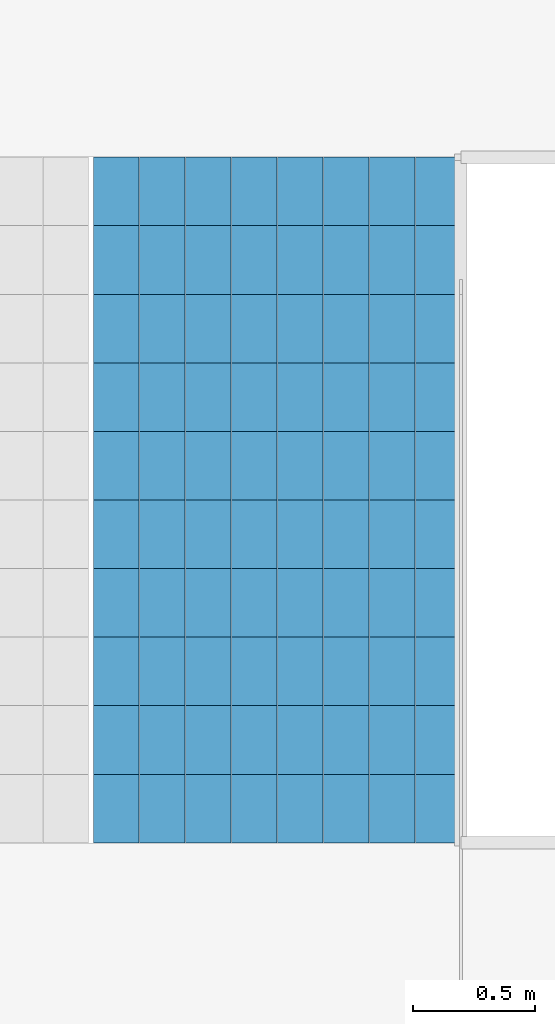
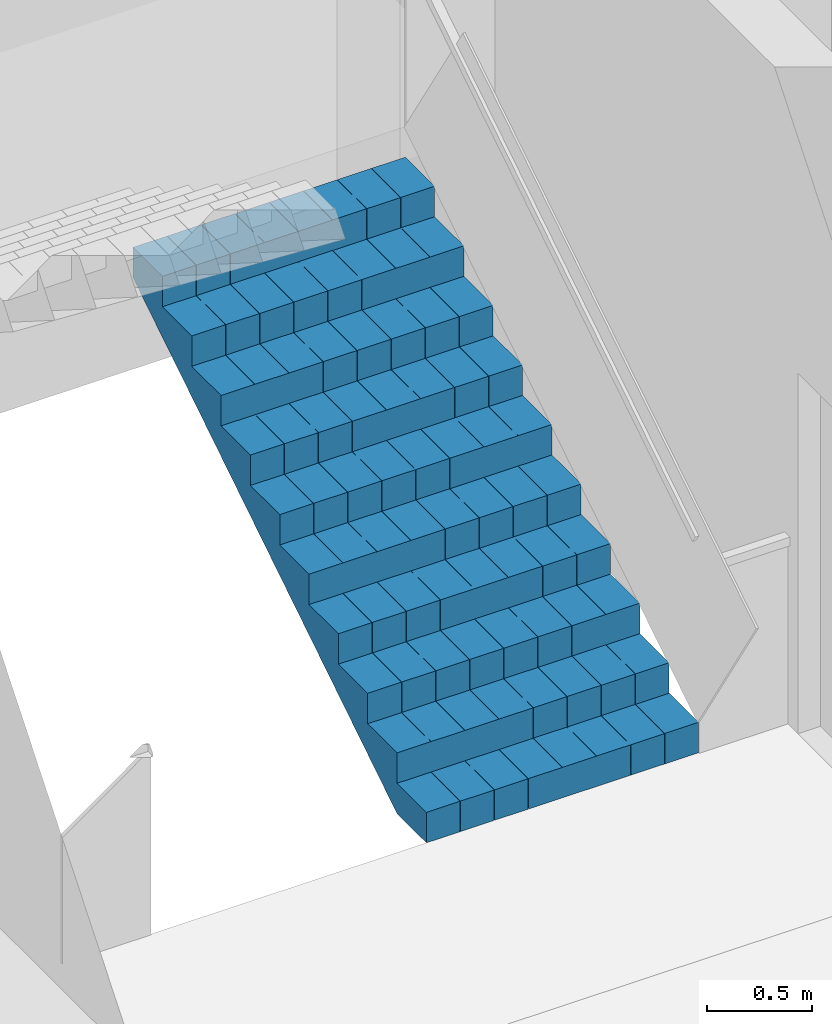
# One storey, part 13 of 15: 1 stair flight, 1 element without a shape of its own.
"""IFC4 building model written with IfcOpenShell, lengths in metres."""

from ifc_helpers import new_model, si_unit, direction, frame, origin, place, context, subcontext, project, spatial, polyline, outline, extrude, material, type_object, element, aggregate, save


model = new_model("IFC4")

# Units and contexts
model_context = context("Model", 3, precision=1e-05, world=origin(), true_north=direction((0.0, 1.0)))
body_context = subcontext(model_context, "Body", "Model", "MODEL_VIEW")
ifc_project = project(units=[si_unit("LENGTHUNIT", "METRE"), si_unit("AREAUNIT", "SQUARE_METRE"), si_unit("VOLUMEUNIT", "CUBIC_METRE"), si_unit("PLANEANGLEUNIT", "RADIAN"), si_unit("MASSUNIT", "GRAM", prefix="KILO")], contexts=[model_context])

# Site, building, storey
site_placement = place(None, origin())
site = spatial("IfcSite", under=ifc_project, at=site_placement, CompositionType="ELEMENT")
building_placement = place(site_placement, origin())
building = spatial("IfcBuilding", under=site, at=building_placement, Name="Kolab Exchange Tower", CompositionType="ELEMENT")
storey_placement = place(building_placement, frame((0.0, 0.0, 158.300048828125)))
storey = spatial("IfcBuildingStorey", under=building, at=storey_placement, Name="L32", CompositionType="ELEMENT", Elevation=158.300048828125)

# Stair, stair flight
ifc_material = material(Name="Concrete C50/60", Category="concrete")
stair_type = type_object("IfcStairType", Name="STAIR ST1 RISER 177.3", PredefinedType="HALF_TURN_STAIR", material=ifc_material)
stair_placement = place(storey_placement, origin())
stair = element("IfcStair", 1, at=stair_placement, inside=storey, type_object=stair_type, Name="Stair 1", PredefinedType="HALF_TURN_STAIR")
stair_flight_type = type_object("IfcStairFlightType", Name="STAIR FLIGHT 1500 RISER 177.3", PredefinedType="STRAIGHT", material=ifc_material)
stair_flight_placement = place(storey_placement, frame((-6.489990234375, 5.550048828125, 0.0), z_axis=(0.0, 0.0, 1.0), x_axis=(0.0, 1.0, 0.0)))
stair_flight = element("IfcStairFlight", 2, at=stair_flight_placement, type_object=stair_flight_type, Name="ST1 flight 1", NumberOfRisers=11, NumberOfTreads=10, PredefinedType="STRAIGHT", RiserHeight=0.177272727, TreadLength=0.28, context=body_context, shape_type="SweptSolid", body=[
    extrude(outline(polyline([(0.0, 0.0), (0.0, 0.17724609375), (0.280029296875, 0.17724609375), (0.280029296875, 0.3544921875), (0.56005859375, 0.3544921875), (0.56005859375, 0.53173828125), (0.840087890625, 0.53173828125), (0.840087890625, 0.708984375), (1.1201171875, 0.708984375), (1.1201171875, 0.886474609375), (1.39990234375, 0.886474609375), (1.39990234375, 1.063720703125), (1.679931640625, 1.063720703125), (1.679931640625, 1.240966796875), (1.9599609375, 1.240966796875), (1.9599609375, 1.418212890625), (2.239990234375, 1.418212890625), (2.239990234375, 1.595458984375), (2.52001953125, 1.595458984375), (2.52001953125, 1.772705078125), (2.800048828125, 1.772705078125), (2.800048828125, 1.949951171875), (2.800048828125, 1.59521484375), (0.2802734375, 0.0), (0.0, 0.0)])), frame((0.0, 0.75, 0.0), z_axis=(0.0, -1.0, 0.0), x_axis=(1.0, 0.0, 0.0)), (0.0, 0.0, 1.0), 0.185791015625),
    extrude(outline(polyline([(0.0, 0.0), (0.0, 0.17724609375), (0.280029296875, 0.17724609375), (0.280029296875, 0.3544921875), (0.56005859375, 0.3544921875), (0.56005859375, 0.53173828125), (0.840087890625, 0.53173828125), (0.840087890625, 0.708984375), (1.1201171875, 0.708984375), (1.1201171875, 0.886474609375), (1.39990234375, 0.886474609375), (1.39990234375, 1.063720703125), (1.679931640625, 1.063720703125), (1.679931640625, 1.240966796875), (1.9599609375, 1.240966796875), (1.9599609375, 1.418212890625), (2.239990234375, 1.418212890625), (2.239990234375, 1.595458984375), (2.52001953125, 1.595458984375), (2.52001953125, 1.772705078125), (2.800048828125, 1.772705078125), (2.800048828125, 1.949951171875), (2.800048828125, 1.59521484375), (0.2802734375, 0.0), (0.0, 0.0)])), frame((0.0, 0.562255859375, 0.0), z_axis=(0.0, -1.0, 0.0), x_axis=(1.0, 0.0, 0.0)), (0.0, 0.0, 1.0), 0.185791015625),
    extrude(outline(polyline([(0.0, 0.0), (0.0, 0.17724609375), (0.280029296875, 0.17724609375), (0.280029296875, 0.3544921875), (0.56005859375, 0.3544921875), (0.56005859375, 0.53173828125), (0.840087890625, 0.53173828125), (0.840087890625, 0.708984375), (1.1201171875, 0.708984375), (1.1201171875, 0.886474609375), (1.39990234375, 0.886474609375), (1.39990234375, 1.063720703125), (1.679931640625, 1.063720703125), (1.679931640625, 1.240966796875), (1.9599609375, 1.240966796875), (1.9599609375, 1.418212890625), (2.239990234375, 1.418212890625), (2.239990234375, 1.595458984375), (2.52001953125, 1.595458984375), (2.52001953125, 1.772705078125), (2.800048828125, 1.772705078125), (2.800048828125, 1.949951171875), (2.800048828125, 1.59521484375), (0.2802734375, 0.0), (0.0, 0.0)])), frame((0.0, 0.37451171875, 0.0), z_axis=(0.0, -1.0, 0.0), x_axis=(1.0, 0.0, 0.0)), (0.0, 0.0, 1.0), 0.185791015625),
    extrude(outline(polyline([(0.0, 0.0), (0.0, 0.17724609375), (0.280029296875, 0.17724609375), (0.280029296875, 0.3544921875), (0.56005859375, 0.3544921875), (0.56005859375, 0.53173828125), (0.840087890625, 0.53173828125), (0.840087890625, 0.708984375), (1.1201171875, 0.708984375), (1.1201171875, 0.886474609375), (1.39990234375, 0.886474609375), (1.39990234375, 1.063720703125), (1.679931640625, 1.063720703125), (1.679931640625, 1.240966796875), (1.9599609375, 1.240966796875), (1.9599609375, 1.418212890625), (2.239990234375, 1.418212890625), (2.239990234375, 1.595458984375), (2.52001953125, 1.595458984375), (2.52001953125, 1.772705078125), (2.800048828125, 1.772705078125), (2.800048828125, 1.949951171875), (2.800048828125, 1.59521484375), (0.2802734375, 0.0), (0.0, 0.0)])), frame((0.0, 0.186767578125, 0.0), z_axis=(0.0, -1.0, 0.0), x_axis=(1.0, 0.0, 0.0)), (0.0, 0.0, 1.0), 0.185791015625),
    extrude(outline(polyline([(0.0, 0.0), (0.0, 0.17724609375), (0.280029296875, 0.17724609375), (0.280029296875, 0.3544921875), (0.56005859375, 0.3544921875), (0.56005859375, 0.53173828125), (0.840087890625, 0.53173828125), (0.840087890625, 0.708984375), (1.1201171875, 0.708984375), (1.1201171875, 0.886474609375), (1.39990234375, 0.886474609375), (1.39990234375, 1.063720703125), (1.679931640625, 1.063720703125), (1.679931640625, 1.240966796875), (1.9599609375, 1.240966796875), (1.9599609375, 1.418212890625), (2.239990234375, 1.418212890625), (2.239990234375, 1.595458984375), (2.52001953125, 1.595458984375), (2.52001953125, 1.772705078125), (2.800048828125, 1.772705078125), (2.800048828125, 1.949951171875), (2.800048828125, 1.59521484375), (0.2802734375, 0.0), (0.0, 0.0)])), frame((0.0, -0.0009765625, 0.0), z_axis=(0.0, -1.0, 0.0), x_axis=(1.0, 0.0, 0.0)), (0.0, 0.0, 1.0), 0.185791015625),
    extrude(outline(polyline([(0.0, 0.0), (0.0, 0.17724609375), (0.280029296875, 0.17724609375), (0.280029296875, 0.3544921875), (0.56005859375, 0.3544921875), (0.56005859375, 0.53173828125), (0.840087890625, 0.53173828125), (0.840087890625, 0.708984375), (1.1201171875, 0.708984375), (1.1201171875, 0.886474609375), (1.39990234375, 0.886474609375), (1.39990234375, 1.063720703125), (1.679931640625, 1.063720703125), (1.679931640625, 1.240966796875), (1.9599609375, 1.240966796875), (1.9599609375, 1.418212890625), (2.239990234375, 1.418212890625), (2.239990234375, 1.595458984375), (2.52001953125, 1.595458984375), (2.52001953125, 1.772705078125), (2.800048828125, 1.772705078125), (2.800048828125, 1.949951171875), (2.800048828125, 1.59521484375), (0.2802734375, 0.0), (0.0, 0.0)])), frame((0.0, -0.188720703125, 0.0), z_axis=(0.0, -1.0, 0.0), x_axis=(1.0, 0.0, 0.0)), (0.0, 0.0, 1.0), 0.185791015625),
    extrude(outline(polyline([(0.0, 0.0), (0.0, 0.17724609375), (0.280029296875, 0.17724609375), (0.280029296875, 0.3544921875), (0.56005859375, 0.3544921875), (0.56005859375, 0.53173828125), (0.840087890625, 0.53173828125), (0.840087890625, 0.708984375), (1.1201171875, 0.708984375), (1.1201171875, 0.886474609375), (1.39990234375, 0.886474609375), (1.39990234375, 1.063720703125), (1.679931640625, 1.063720703125), (1.679931640625, 1.240966796875), (1.9599609375, 1.240966796875), (1.9599609375, 1.418212890625), (2.239990234375, 1.418212890625), (2.239990234375, 1.595458984375), (2.52001953125, 1.595458984375), (2.52001953125, 1.772705078125), (2.800048828125, 1.772705078125), (2.800048828125, 1.949951171875), (2.800048828125, 1.59521484375), (0.2802734375, 0.0), (0.0, 0.0)])), frame((0.0, -0.37646484375, 0.0), z_axis=(0.0, -1.0, 0.0), x_axis=(1.0, 0.0, 0.0)), (0.0, 0.0, 1.0), 0.185791015625),
    extrude(outline(polyline([(0.0, 0.0), (0.0, 0.17724609375), (0.280029296875, 0.17724609375), (0.280029296875, 0.3544921875), (0.56005859375, 0.3544921875), (0.56005859375, 0.53173828125), (0.840087890625, 0.53173828125), (0.840087890625, 0.708984375), (1.1201171875, 0.708984375), (1.1201171875, 0.886474609375), (1.39990234375, 0.886474609375), (1.39990234375, 1.063720703125), (1.679931640625, 1.063720703125), (1.679931640625, 1.240966796875), (1.9599609375, 1.240966796875), (1.9599609375, 1.418212890625), (2.239990234375, 1.418212890625), (2.239990234375, 1.595458984375), (2.52001953125, 1.595458984375), (2.52001953125, 1.772705078125), (2.800048828125, 1.772705078125), (2.800048828125, 1.949951171875), (2.800048828125, 1.59521484375), (0.2802734375, 0.0), (0.0, 0.0)])), frame((0.0, -0.564208984375, 0.0), z_axis=(0.0, -1.0, 0.0), x_axis=(1.0, 0.0, 0.0)), (0.0, 0.0, 1.0), 0.185791015625),
])
aggregate(stair, [stair_flight])

save(model, "model.ifc")
